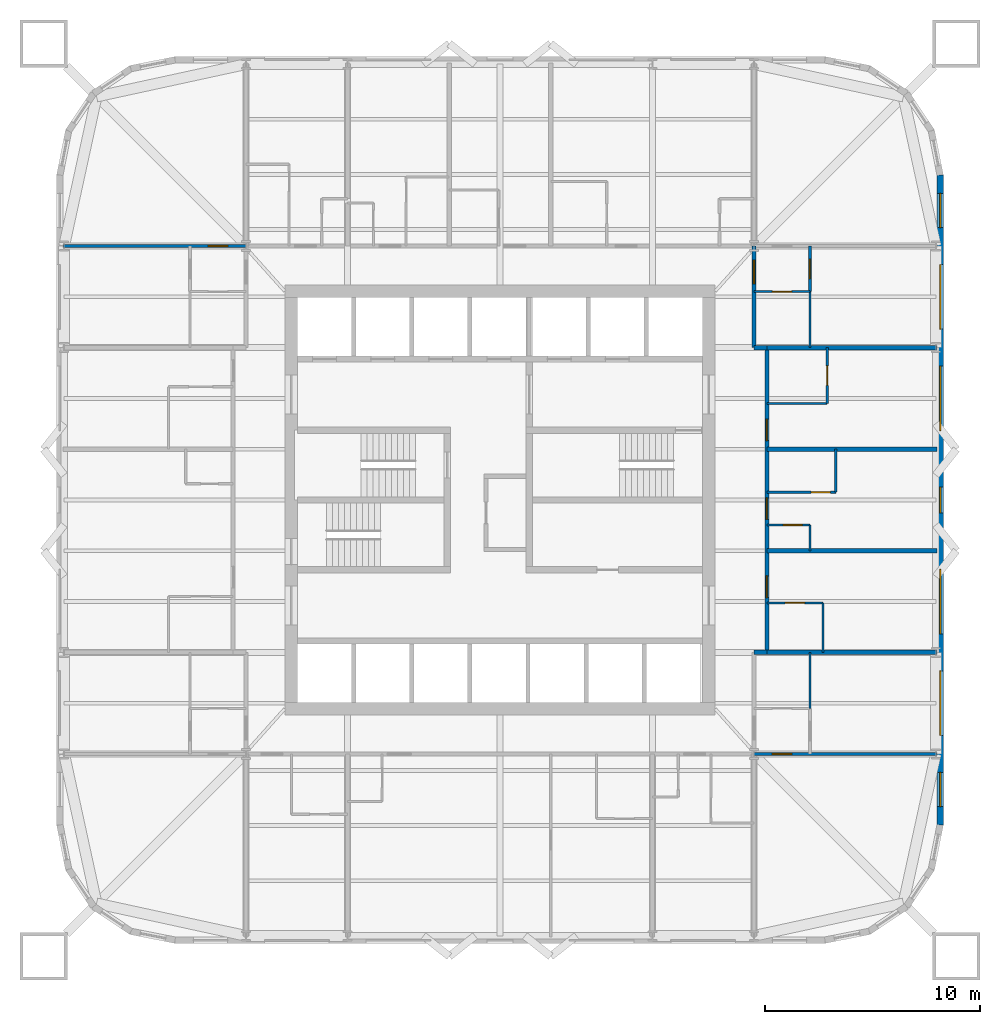
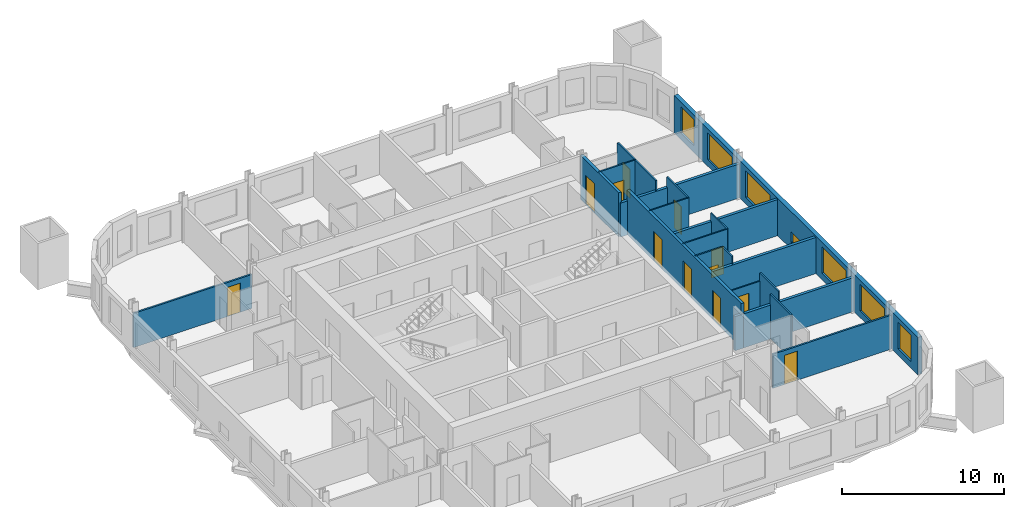
# One storey, part 6 of 9: 23 walls, 12 doors, 7 windows, 19 openings.
"""IFC4 building model written with IfcOpenShell, lengths in metres."""

from ifc_helpers import new_model, si_unit, direction, frame, frame_2d, origin, place, context, subcontext, project, spatial, rectangle, extrude, material, layer, layer_set, type_object, element, fill, save


model = new_model("IFC4")

# Units and contexts
model_context = context("Model", 3, precision=1e-05, world=origin(), true_north=direction((0.0, 1.0)))
body_context = subcontext(model_context, "Body", "Model", "MODEL_VIEW")
ifc_project = project(units=[si_unit("LENGTHUNIT", "METRE"), si_unit("AREAUNIT", "SQUARE_METRE"), si_unit("VOLUMEUNIT", "CUBIC_METRE"), si_unit("PLANEANGLEUNIT", "RADIAN"), si_unit("MASSUNIT", "GRAM", prefix="KILO")], contexts=[model_context])

# Site, building, storey
site_placement = place(None, origin())
site = spatial("IfcSite", under=ifc_project, at=site_placement, CompositionType="ELEMENT")
building_placement = place(site_placement, origin())
building = spatial("IfcBuilding", under=site, at=building_placement, Name="Turquesa Mirador Hotel Tower", CompositionType="ELEMENT")
storey_placement = place(building_placement, frame((0.0, 0.0, 121.39990234375)))
storey = spatial("IfcBuildingStorey", under=building, at=storey_placement, Name="L32", CompositionType="ELEMENT", Elevation=121.39990234375)

# Wall, opening, door
ifc_material_1 = material(Name="Gypsum board on steel studs", Category="steel")
ifc_layer_1 = layer(ifc_material_1, 0.10009765625)
ifc_layer_set_1 = layer_set([ifc_layer_1], Name="BATHROOM WALL 100")
wall_type_1 = type_object("IfcWallType", Name="BATHROOM WALL 100", PredefinedType="PARTITIONING", material=ifc_layer_set_1)
wall_1_placement = place(storey_placement, frame((67.39990234375, 43.840087890625, 0.0), z_axis=(0.0, 0.0, 1.0), x_axis=(1.0, 0.0, 0.0)))
wall_1 = element("IfcWall", 1, at=wall_1_placement, inside=storey, type_object=wall_type_1, Name="Partition L32 001", PredefinedType="PARTITIONING", context=body_context, shape_type="SweptSolid", body=[
    extrude(rectangle(XDim=2.0, YDim=0.10009765625, at=frame_2d((1.0, 0.0))), origin(), (0.0, 0.0, 1.0), 3.330078125),
])
opening_1_placement = place(wall_1_placement, frame((0.75, 0.0, 0.0)))
opening_1 = element("IfcOpeningElement", 2, at=opening_1_placement, cuts=wall_1, Name="Opening D06", PredefinedType="OPENING", context=body_context, shape_type="SweptSolid", body=[
    extrude(rectangle(XDim=0.89990234375, YDim=2.10009765625, at=frame_2d((0.449951171875, 1.050048828125))), frame((0.0, 0.06005859375, 0.0), z_axis=(0.0, -1.0, 0.0), x_axis=(1.0, 0.0, 0.0)), (0.0, 0.0, 1.0), 0.1201171875),
])
ifc_material_2 = material(Name="Laminate door", Category="wood")
door_type_1 = type_object("IfcDoorType", Name="DOOR 900X2100 WC", OperationType="SINGLE_SWING_LEFT", PredefinedType="DOOR", material=ifc_material_2)
door_1_placement = place(opening_1_placement, origin())
door_1 = element("IfcDoor", 3, at=door_1_placement, inside=storey, type_object=door_type_1, Name="Door 3209W", OperationType="SINGLE_SWING_LEFT", OverallHeight=2.10009765625, OverallWidth=0.89990234375, PredefinedType="DOOR", context=body_context, shape_type="SweptSolid", body=[
    extrude(rectangle(XDim=0.89990234375, YDim=2.10009765625, at=frame_2d((0.449951171875, 1.050048828125))), frame((0.0, 0.02490234375, 0.0), z_axis=(0.0, -1.0, 0.0), x_axis=(1.0, 0.0, 0.0)), (0.0, 0.0, 1.0), 0.050048828125),
])
fill(opening_1, door_1)

wall_2_placement = place(storey_placement, frame((67.39990234375, 40.219970703125, 0.0), z_axis=(0.0, 0.0, 1.0), x_axis=(1.0, 0.0, 0.0)))
wall_2 = element("IfcWall", 4, at=wall_2_placement, inside=storey, type_object=wall_type_1, Name="Partition L32 012", PredefinedType="PARTITIONING", context=body_context, shape_type="SweptSolid", body=[
    extrude(rectangle(XDim=2.60009765625, YDim=0.10009765625, at=frame_2d((1.300048828125, 0.0))), origin(), (0.0, 0.0, 1.0), 2.730712890625),
])
opening_2_placement = place(wall_2_placement, frame((0.85009765625, 0.0, 0.0)))
opening_2 = element("IfcOpeningElement", 5, at=opening_2_placement, cuts=wall_2, Name="Opening D02", PredefinedType="OPENING", context=body_context, shape_type="SweptSolid", body=[
    extrude(rectangle(XDim=0.89990234375, YDim=2.10009765625, at=frame_2d((0.449951171875, 1.050048828125))), frame((0.0, 0.06005859375, 0.0), z_axis=(0.0, -1.0, 0.0), x_axis=(1.0, 0.0, 0.0)), (0.0, 0.0, 1.0), 0.1201171875),
])
ifc_material_3 = material(Name="Timber veneered door", Category="wood")
door_type_2 = type_object("IfcDoorType", Name="DOOR 900X2100 EN-SUITE", OperationType="SINGLE_SWING_RIGHT", PredefinedType="DOOR", material=ifc_material_3)
door_2_placement = place(opening_2_placement, origin())
door_2 = element("IfcDoor", 6, at=door_2_placement, inside=storey, type_object=door_type_2, Name="Door 3208B", OperationType="SINGLE_SWING_RIGHT", OverallHeight=2.10009765625, OverallWidth=0.89990234375, PredefinedType="DOOR", context=body_context, shape_type="SweptSolid", body=[
    extrude(rectangle(XDim=0.89990234375, YDim=2.10009765625, at=frame_2d((0.449951171875, 1.050048828125))), frame((0.0, 0.02490234375, 0.0), z_axis=(0.0, -1.0, 0.0), x_axis=(1.0, 0.0, 0.0)), (0.0, 0.0, 1.0), 0.050048828125),
])
fill(opening_2, door_2)

wall_3_placement = place(storey_placement, frame((67.39990234375, 45.360107421875, 0.0), z_axis=(0.0, 0.0, 1.0), x_axis=(1.0, 0.0, 0.0)))
wall_3 = element("IfcWall", 7, at=wall_3_placement, inside=storey, type_object=wall_type_1, Name="Partition L32 019", PredefinedType="PARTITIONING", context=body_context, shape_type="SweptSolid", body=[
    extrude(rectangle(XDim=3.2001953125, YDim=0.10009765625, at=frame_2d((1.60009765625, 0.0))), origin(), (0.0, 0.0, 1.0), 3.330078125),
])
opening_3_placement = place(wall_3_placement, frame((2.050048828125, 0.0, 0.0)))
opening_3 = element("IfcOpeningElement", 8, at=opening_3_placement, cuts=wall_3, Name="Opening D02", PredefinedType="OPENING", context=body_context, shape_type="SweptSolid", body=[
    extrude(rectangle(XDim=0.89990234375, YDim=2.10009765625, at=frame_2d((0.449951171875, 1.050048828125))), frame((0.0, 0.06005859375, 0.0), z_axis=(0.0, -1.0, 0.0), x_axis=(1.0, 0.0, 0.0)), (0.0, 0.0, 1.0), 0.1201171875),
])
door_3_placement = place(opening_3_placement, origin())
door_3 = element("IfcDoor", 9, at=door_3_placement, inside=storey, type_object=door_type_2, Name="Door 3209B", OperationType="SINGLE_SWING_RIGHT", OverallHeight=2.10009765625, OverallWidth=0.89990234375, PredefinedType="DOOR", context=body_context, shape_type="SweptSolid", body=[
    extrude(rectangle(XDim=0.89990234375, YDim=2.10009765625, at=frame_2d((0.449951171875, 1.050048828125))), frame((0.0, 0.02490234375, 0.0), z_axis=(0.0, -1.0, 0.0), x_axis=(1.0, 0.0, 0.0)), (0.0, 0.0, 1.0), 0.050048828125),
])
fill(opening_3, door_3)

# Wall
wall_4_placement = place(storey_placement, frame((67.39990234375, 49.47998046875, 0.0), z_axis=(0.0, 0.0, 1.0), x_axis=(1.0, 0.0, 0.0)))
element("IfcWall", 10, at=wall_4_placement, inside=storey, type_object=wall_type_1, Name="Partition L32 033", PredefinedType="PARTITIONING", context=body_context, shape_type="SweptSolid", body=[
    extrude(rectangle(XDim=2.800048828125, YDim=0.10009765625, at=frame_2d((1.39990234375, 0.0))), origin(), (0.0, 0.0, 1.0), 3.330078125),
])

# Wall, opening, door
wall_5_placement = place(storey_placement, frame((66.800048828125, 54.679931640625, 0.0), z_axis=(0.0, 0.0, 1.0), x_axis=(1.0, 0.0, 0.0)))
wall_5 = element("IfcWall", 11, at=wall_5_placement, inside=storey, type_object=wall_type_1, Name="Partition L32 040", PredefinedType="PARTITIONING", context=body_context, shape_type="SweptSolid", body=[
    extrude(rectangle(XDim=2.599853515625, YDim=0.10009765625, at=frame_2d((1.2998046875, 0.0))), origin(), (0.0, 0.0, 1.0), 3.330078125),
])
opening_4_placement = place(wall_5_placement, frame((0.85009765625, 0.0, 0.0)))
opening_4 = element("IfcOpeningElement", 12, at=opening_4_placement, cuts=wall_5, Name="Opening D02", PredefinedType="OPENING", context=body_context, shape_type="SweptSolid", body=[
    extrude(rectangle(XDim=0.89990234375, YDim=2.10009765625, at=frame_2d((0.449951171875, 1.050048828125))), frame((0.0, 0.06005859375, 0.0), z_axis=(0.0, -1.0, 0.0), x_axis=(1.0, 0.0, 0.0)), (0.0, 0.0, 1.0), 0.1201171875),
])
door_4_placement = place(opening_4_placement, origin())
door_4 = element("IfcDoor", 13, at=door_4_placement, inside=storey, type_object=door_type_2, Name="Door 3213B", OperationType="SINGLE_SWING_RIGHT", OverallHeight=2.10009765625, OverallWidth=0.89990234375, PredefinedType="DOOR", context=body_context, shape_type="SweptSolid", body=[
    extrude(rectangle(XDim=0.89990234375, YDim=2.10009765625, at=frame_2d((0.449951171875, 1.050048828125))), frame((0.0, 0.02490234375, 0.0), z_axis=(0.0, -1.0, 0.0), x_axis=(1.0, 0.0, 0.0)), (0.0, 0.0, 1.0), 0.050048828125),
])
fill(opening_4, door_4)

# Walls
wall_6_placement = place(storey_placement, frame((69.39990234375, 35.320068359375, 0.0), z_axis=(0.0, 0.0, 1.0), x_axis=(0.0, 1.0, 0.0)))
element("IfcWall", 14, at=wall_6_placement, inside=storey, type_object=wall_type_1, Name="Partition L32 070", PredefinedType="PARTITIONING", context=body_context, shape_type="SweptSolid", body=[
    extrude(rectangle(XDim=2.599853515625, YDim=0.10009765625, at=frame_2d((1.2998046875, 0.0))), origin(), (0.0, 0.0, 1.0), 3.330078125),
])
wall_7_placement = place(storey_placement, frame((69.39990234375, 42.639892578125, 0.0), z_axis=(0.0, 0.0, 1.0), x_axis=(0.0, 1.0, 0.0)))
element("IfcWall", 15, at=wall_7_placement, inside=storey, type_object=wall_type_1, Name="Partition L32 071", PredefinedType="PARTITIONING", context=body_context, shape_type="SweptSolid", body=[
    extrude(rectangle(XDim=1.2001953125, YDim=0.10009765625, at=frame_2d((0.60009765625, 0.0))), origin(), (0.0, 0.0, 1.0), 3.330078125),
])
wall_8_placement = place(storey_placement, frame((69.39990234375, 52.080078125, 0.0), z_axis=(0.0, 0.0, 1.0), x_axis=(0.0, 1.0, 0.0)))
element("IfcWall", 16, at=wall_8_placement, inside=storey, type_object=wall_type_1, Name="Partition L32 072", PredefinedType="PARTITIONING", context=body_context, shape_type="SweptSolid", body=[
    extrude(rectangle(XDim=2.599853515625, YDim=0.10009765625, at=frame_2d((1.2998046875, 0.0))), origin(), (0.0, 0.0, 1.0), 3.330078125),
])
wall_9_placement = place(storey_placement, frame((70.0, 37.919921875, 0.0), z_axis=(0.0, 0.0, 1.0), x_axis=(0.0, 1.0, 0.0)))
element("IfcWall", 17, at=wall_9_placement, inside=storey, type_object=wall_type_1, Name="Partition L32 075", PredefinedType="PARTITIONING", context=body_context, shape_type="SweptSolid", body=[
    extrude(rectangle(XDim=2.300048828125, YDim=0.10009765625, at=frame_2d((1.14990234375, 0.0))), origin(), (0.0, 0.0, 1.0), 3.330078125),
])

# Wall, opening, door
wall_10_placement = place(storey_placement, frame((70.199951171875, 49.47998046875, 0.0), z_axis=(0.0, 0.0, 1.0), x_axis=(0.0, 1.0, 0.0)))
wall_10 = element("IfcWall", 18, at=wall_10_placement, inside=storey, type_object=wall_type_1, Name="Partition L32 076", PredefinedType="PARTITIONING", context=body_context, shape_type="SweptSolid", body=[
    extrude(rectangle(XDim=2.60009765625, YDim=0.10009765625, at=frame_2d((1.300048828125, 0.0))), origin(), (0.0, 0.0, 1.0), 3.330078125),
])
opening_5_placement = place(wall_10_placement, frame((0.85009765625, 0.0, 0.0)))
opening_5 = element("IfcOpeningElement", 19, at=opening_5_placement, cuts=wall_10, Name="Opening D02", PredefinedType="OPENING", context=body_context, shape_type="SweptSolid", body=[
    extrude(rectangle(XDim=0.89990234375, YDim=2.10009765625, at=frame_2d((0.449951171875, 1.050048828125))), frame((0.0, 0.06005859375, 0.0), z_axis=(0.0, -1.0, 0.0), x_axis=(1.0, 0.0, 0.0)), (0.0, 0.0, 1.0), 0.1201171875),
])
door_5_placement = place(opening_5_placement, origin())
door_5 = element("IfcDoor", 20, at=door_5_placement, inside=storey, type_object=door_type_2, Name="Door 3210B", OperationType="SINGLE_SWING_RIGHT", OverallHeight=2.10009765625, OverallWidth=0.89990234375, PredefinedType="DOOR", context=body_context, shape_type="SweptSolid", body=[
    extrude(rectangle(XDim=0.89990234375, YDim=2.10009765625, at=frame_2d((0.449951171875, 1.050048828125))), frame((0.0, 0.02490234375, 0.0), z_axis=(0.0, -1.0, 0.0), x_axis=(1.0, 0.0, 0.0)), (0.0, 0.0, 1.0), 0.050048828125),
])
fill(opening_5, door_5)

# Walls
wall_11_placement = place(storey_placement, frame((70.60009765625, 45.360107421875, 0.0), z_axis=(0.0, 0.0, 1.0), x_axis=(0.0, 1.0, 0.0)))
element("IfcWall", 21, at=wall_11_placement, inside=storey, type_object=wall_type_1, Name="Partition L32 077", PredefinedType="PARTITIONING", context=body_context, shape_type="SweptSolid", body=[
    extrude(rectangle(XDim=2.0, YDim=0.10009765625, at=frame_2d((1.0, 0.0))), origin(), (0.0, 0.0, 1.0), 3.330078125),
])
ifc_material_4 = material(Name="Fire-rated gypsum board on steel studs", Category="steel")
ifc_layer_2 = layer(ifc_material_4, 0.199951171875)
ifc_layer_set_2 = layer_set([ifc_layer_2], Name="CORRIDOR WALL 200")
wall_type_2 = type_object("IfcWallType", Name="CORRIDOR WALL 200", PredefinedType="PARTITIONING", material=ifc_layer_set_2)
for number, where, z_axis, x_axis, name in (
    (22, (66.800048828125, 37.919921875, 0.0), (0.0, 0.0, 1.0), (1.0, 0.0, 0.0), "Partition L32 014"),
    (23, (66.800048828125, 52.080078125, 0.0), (0.0, 0.0, 1.0), (1.0, 0.0, 0.0), "Partition L32 036"),
):
    element("IfcWall", number, at=place(storey_placement, frame(where, z_axis=z_axis, x_axis=x_axis)), inside=storey, type_object=wall_type_2, Name=name, PredefinedType="PARTITIONING", context=body_context, shape_type="SweptSolid", body=[
        extrude(rectangle(XDim=0.599853515625, YDim=0.199951171875, at=frame_2d((0.2998046875, 0.0))), origin(), (0.0, 0.0, 1.0), 2.5732421875),
    ])

# Wall, opening, door
wall_12_placement = place(storey_placement, frame((66.800048828125, 52.080078125, 0.0), z_axis=(0.0, 0.0, 1.0), x_axis=(0.0, 1.0, 0.0)))
wall_12 = element("IfcWall", 24, at=wall_12_placement, inside=storey, type_object=wall_type_2, Name="Partition L32 066", PredefinedType="PARTITIONING", context=body_context, shape_type="SweptSolid", body=[
    extrude(rectangle(XDim=4.719970703125, YDim=0.199951171875, at=frame_2d((2.35986328125, 0.0))), origin(), (0.0, 0.0, 1.0), 3.330078125),
])
opening_6_placement = place(wall_12_placement, frame((2.9599609375, 0.0, 0.0)))
opening_6 = element("IfcOpeningElement", 25, at=opening_6_placement, cuts=wall_12, Name="Opening D15", PredefinedType="OPENING", context=body_context, shape_type="SweptSolid", body=[
    extrude(rectangle(XDim=1.10009765625, YDim=2.199951171875, at=frame_2d((0.550048828125, 1.10009765625))), frame((0.0, 0.10986328125, 0.0), z_axis=(0.0, -1.0, 0.0), x_axis=(1.0, 0.0, 0.0)), (0.0, 0.0, 1.0), 0.219970703125),
])
ifc_material_5 = material(Name="Timber veneered fire door", Category="wood")
door_type_3 = type_object("IfcDoorType", Name="DOOR 1100X2200 SUITE ENTRY", OperationType="SINGLE_SWING_LEFT", PredefinedType="DOOR", material=ifc_material_5)
door_6_placement = place(opening_6_placement, origin())
door_6 = element("IfcDoor", 26, at=door_6_placement, inside=storey, type_object=door_type_3, Name="Door 3213H", OperationType="SINGLE_SWING_LEFT", OverallHeight=2.199951171875, OverallWidth=1.10009765625, PredefinedType="DOOR", context=body_context, shape_type="SweptSolid", body=[
    extrude(rectangle(XDim=1.10009765625, YDim=2.199951171875, at=frame_2d((0.550048828125, 1.10009765625))), frame((0.0, 0.02490234375, 0.0), z_axis=(0.0, -1.0, 0.0), x_axis=(1.0, 0.0, 0.0)), (0.0, 0.0, 1.0), 0.050048828125),
])
fill(opening_6, door_6)

# Wall, openings, doors
wall_13_placement = place(storey_placement, frame((67.39990234375, 37.919921875, 0.0), z_axis=(0.0, 0.0, 1.0), x_axis=(0.0, 1.0, 0.0)))
wall_13 = element("IfcWall", 27, at=wall_13_placement, inside=storey, type_object=wall_type_2, Name="Partition L32 069", PredefinedType="PARTITIONING", context=body_context, shape_type="SweptSolid", body=[
    extrude(rectangle(XDim=14.16015625, YDim=0.199951171875, at=frame_2d((7.080078125, 0.0))), origin(), (0.0, 0.0, 1.0), 3.330078125),
])
opening_7_placement = place(wall_13_placement, frame((2.550048828125, 0.0, 0.0)))
opening_7 = element("IfcOpeningElement", 28, at=opening_7_placement, cuts=wall_13, Name="Opening D01", PredefinedType="OPENING", context=body_context, shape_type="SweptSolid", body=[
    extrude(rectangle(XDim=1.0, YDim=2.199951171875, at=frame_2d((0.5, 1.10009765625))), frame((0.0, 0.10986328125, 0.0), z_axis=(0.0, -1.0, 0.0), x_axis=(1.0, 0.0, 0.0)), (0.0, 0.0, 1.0), 0.219970703125),
])
opening_8_placement = place(wall_13_placement, frame((6.179931640625, 0.0, 0.0)))
opening_8 = element("IfcOpeningElement", 29, at=opening_8_placement, cuts=wall_13, Name="Opening D01", PredefinedType="OPENING", context=body_context, shape_type="SweptSolid", body=[
    extrude(rectangle(XDim=1.0, YDim=2.199951171875, at=frame_2d((0.5, 1.10009765625))), frame((0.0, 0.10986328125, 0.0), z_axis=(0.0, -1.0, 0.0), x_axis=(1.0, 0.0, 0.0)), (0.0, 0.0, 1.0), 0.219970703125),
])
opening_9_placement = place(wall_13_placement, frame((9.840087890625, 0.0, 0.0)))
opening_9 = element("IfcOpeningElement", 30, at=opening_9_placement, cuts=wall_13, Name="Opening D01", PredefinedType="OPENING", context=body_context, shape_type="SweptSolid", body=[
    extrude(rectangle(XDim=1.0, YDim=2.199951171875, at=frame_2d((0.5, 1.10009765625))), frame((0.0, 0.10986328125, 0.0), z_axis=(0.0, -1.0, 0.0), x_axis=(1.0, 0.0, 0.0)), (0.0, 0.0, 1.0), 0.219970703125),
])
ifc_material_6 = material(Name="Timber veneered fire door", Category="wood")
door_type_4 = type_object("IfcDoorType", Name="DOOR 1000X2200 GUEST ENTRY", OperationType="SINGLE_SWING_LEFT", PredefinedType="DOOR", material=ifc_material_6)
door_7_placement = place(opening_7_placement, origin())
door_7 = element("IfcDoor", 31, at=door_7_placement, inside=storey, type_object=door_type_4, Name="Door 3208", OperationType="SINGLE_SWING_LEFT", OverallHeight=2.199951171875, OverallWidth=1.0, PredefinedType="DOOR", context=body_context, shape_type="SweptSolid", body=[
    extrude(rectangle(XDim=1.0, YDim=2.199951171875, at=frame_2d((0.5, 1.10009765625))), frame((0.0, 0.02490234375, 0.0), z_axis=(0.0, -1.0, 0.0), x_axis=(1.0, 0.0, 0.0)), (0.0, 0.0, 1.0), 0.050048828125),
])
fill(opening_7, door_7)
door_8_placement = place(opening_8_placement, origin())
door_8 = element("IfcDoor", 32, at=door_8_placement, inside=storey, type_object=door_type_4, Name="Door 3209", OperationType="SINGLE_SWING_LEFT", OverallHeight=2.199951171875, OverallWidth=1.0, PredefinedType="DOOR", context=body_context, shape_type="SweptSolid", body=[
    extrude(rectangle(XDim=1.0, YDim=2.199951171875, at=frame_2d((0.5, 1.10009765625))), frame((0.0, 0.02490234375, 0.0), z_axis=(0.0, -1.0, 0.0), x_axis=(1.0, 0.0, 0.0)), (0.0, 0.0, 1.0), 0.050048828125),
])
fill(opening_8, door_8)
door_9_placement = place(opening_9_placement, origin())
door_9 = element("IfcDoor", 33, at=door_9_placement, inside=storey, type_object=door_type_4, Name="Door 3210", OperationType="SINGLE_SWING_LEFT", OverallHeight=2.199951171875, OverallWidth=1.0, PredefinedType="DOOR", context=body_context, shape_type="SweptSolid", body=[
    extrude(rectangle(XDim=1.0, YDim=2.199951171875, at=frame_2d((0.5, 1.10009765625))), frame((0.0, 0.02490234375, 0.0), z_axis=(0.0, -1.0, 0.0), x_axis=(1.0, 0.0, 0.0)), (0.0, 0.0, 1.0), 0.050048828125),
])
fill(opening_9, door_9)

# Wall, openings, windows
ifc_material_7 = material(Name="Limestone cladding on concrete block", Category="masonry")
ifc_layer_3 = layer(ifc_material_7, 0.300048828125)
ifc_layer_set_3 = layer_set([ifc_layer_3], Name="FACADE WALL 300 STONE SCREEN")
wall_type_3 = type_object("IfcWallType", Name="FACADE WALL 300 STONE SCREEN", PredefinedType="SOLIDWALL", material=ifc_layer_set_3)
wall_14_placement = place(storey_placement, frame((75.449951171875, 29.89990234375, 0.0), z_axis=(0.0, 0.0, 1.0), x_axis=(0.0, 1.0, 0.0)))
wall_14 = element("IfcWall", 34, at=wall_14_placement, inside=storey, type_object=wall_type_3, Name="Facade wall L32 04", PredefinedType="SOLIDWALL", context=body_context, shape_type="SweptSolid", body=[
    extrude(rectangle(XDim=30.2001953125, YDim=0.300048828125, at=frame_2d((15.10009765625, 0.0))), origin(), (0.0, 0.0, 1.0), 2.830078125),
])
opening_10_placement = place(wall_14_placement, frame((0.85009765625, 0.0, 0.5)))
opening_10 = element("IfcOpeningElement", 35, at=opening_10_placement, cuts=wall_14, Name="Opening WN3", PredefinedType="OPENING", context=body_context, shape_type="SweptSolid", body=[
    extrude(rectangle(XDim=1.60009765625, YDim=2.0, at=frame_2d((0.800048828125, 1.0))), frame((0.0, 0.159912109375, 0.0), z_axis=(0.0, -1.0, 0.0), x_axis=(1.0, 0.0, 0.0)), (0.0, 0.0, 1.0), 0.320068359375),
])
opening_11_placement = place(wall_14_placement, frame((4.159912109375, 0.0, 0.5)))
opening_11 = element("IfcOpeningElement", 36, at=opening_11_placement, cuts=wall_14, Name="Opening WN1", PredefinedType="OPENING", context=body_context, shape_type="SweptSolid", body=[
    extrude(rectangle(XDim=3.0, YDim=2.0, at=frame_2d((1.5, 1.0))), frame((0.0, 0.159912109375, 0.0), z_axis=(0.0, -1.0, 0.0), x_axis=(1.0, 0.0, 0.0)), (0.0, 0.0, 1.0), 0.320068359375),
])
opening_12_placement = place(wall_14_placement, frame((8.8798828125, 0.0, 0.5)))
opening_12 = element("IfcOpeningElement", 37, at=opening_12_placement, cuts=wall_14, Name="Opening WN1", PredefinedType="OPENING", context=body_context, shape_type="SweptSolid", body=[
    extrude(rectangle(XDim=3.0, YDim=2.0, at=frame_2d((1.5, 1.0))), frame((0.0, 0.159912109375, 0.0), z_axis=(0.0, -1.0, 0.0), x_axis=(1.0, 0.0, 0.0)), (0.0, 0.0, 1.0), 0.320068359375),
])
opening_13_placement = place(wall_14_placement, frame((14.5, 0.0, 0.5)))
opening_13 = element("IfcOpeningElement", 38, at=opening_13_placement, cuts=wall_14, Name="Opening WN39", PredefinedType="OPENING", context=body_context, shape_type="SweptSolid", body=[
    extrude(rectangle(XDim=1.199951171875, YDim=0.800048828125, at=frame_2d((0.60009765625, 0.39990234375))), frame((0.0, 0.159912109375, 0.0), z_axis=(0.0, -1.0, 0.0), x_axis=(1.0, 0.0, 0.0)), (0.0, 0.0, 1.0), 0.320068359375),
])
opening_14_placement = place(wall_14_placement, frame((18.320068359375, 0.0, 0.5)))
opening_14 = element("IfcOpeningElement", 39, at=opening_14_placement, cuts=wall_14, Name="Opening WN1", PredefinedType="OPENING", context=body_context, shape_type="SweptSolid", body=[
    extrude(rectangle(XDim=3.0, YDim=2.0, at=frame_2d((1.5, 1.0))), frame((0.0, 0.159912109375, 0.0), z_axis=(0.0, -1.0, 0.0), x_axis=(1.0, 0.0, 0.0)), (0.0, 0.0, 1.0), 0.320068359375),
])
opening_15_placement = place(wall_14_placement, frame((23.0400390625, 0.0, 0.5)))
opening_15 = element("IfcOpeningElement", 40, at=opening_15_placement, cuts=wall_14, Name="Opening WN1", PredefinedType="OPENING", context=body_context, shape_type="SweptSolid", body=[
    extrude(rectangle(XDim=3.0, YDim=2.0, at=frame_2d((1.5, 1.0))), frame((0.0, 0.159912109375, 0.0), z_axis=(0.0, -1.0, 0.0), x_axis=(1.0, 0.0, 0.0)), (0.0, 0.0, 1.0), 0.320068359375),
])
opening_16_placement = place(wall_14_placement, frame((27.75, 0.0, 0.5)))
opening_16 = element("IfcOpeningElement", 41, at=opening_16_placement, cuts=wall_14, Name="Opening WN3", PredefinedType="OPENING", context=body_context, shape_type="SweptSolid", body=[
    extrude(rectangle(XDim=1.60009765625, YDim=2.0, at=frame_2d((0.800048828125, 1.0))), frame((0.0, 0.159912109375, 0.0), z_axis=(0.0, -1.0, 0.0), x_axis=(1.0, 0.0, 0.0)), (0.0, 0.0, 1.0), 0.320068359375),
])
ifc_material_8 = material(Name="Ceramic-fritted laminated glass", Category="glass")
window_type_1 = type_object("IfcWindowType", Name="FRITTED WINDOW 1200X800", PartitioningType="DOUBLE_PANEL_HORIZONTAL", PredefinedType="WINDOW", material=ifc_material_8)
window_1_placement = place(opening_13_placement, origin())
window_1 = element("IfcWindow", 42, at=window_1_placement, inside=storey, type_object=window_type_1, Name="Window L32", OverallHeight=0.800048828125, OverallWidth=1.199951171875, PartitioningType="SINGLE_PANEL", PredefinedType="WINDOW", context=body_context, shape_type="SweptSolid", body=[
    extrude(rectangle(XDim=1.199951171875, YDim=0.800048828125, at=frame_2d((0.60009765625, 0.39990234375))), frame((0.0, 0.030029296875, 0.0), z_axis=(0.0, -1.0, 0.0), x_axis=(1.0, 0.0, 0.0)), (0.0, 0.0, 1.0), 0.06005859375),
])
fill(opening_13, window_1)
ifc_material_9 = material(Name="Ceramic-fritted laminated glass", Category="glass")
window_type_2 = type_object("IfcWindowType", Name="FRITTED WINDOW 1600X2000", PartitioningType="DOUBLE_PANEL_HORIZONTAL", PredefinedType="WINDOW", material=ifc_material_9)
window_2_placement = place(opening_10_placement, origin())
window_2 = element("IfcWindow", 43, at=window_2_placement, inside=storey, type_object=window_type_2, Name="Window L32", OverallHeight=2.0, OverallWidth=1.60009765625, PartitioningType="SINGLE_PANEL", PredefinedType="WINDOW", context=body_context, shape_type="SweptSolid", body=[
    extrude(rectangle(XDim=1.60009765625, YDim=2.0, at=frame_2d((0.800048828125, 1.0))), frame((0.0, 0.030029296875, 0.0), z_axis=(0.0, -1.0, 0.0), x_axis=(1.0, 0.0, 0.0)), (0.0, 0.0, 1.0), 0.06005859375),
])
fill(opening_10, window_2)
window_3_placement = place(opening_16_placement, origin())
window_3 = element("IfcWindow", 44, at=window_3_placement, inside=storey, type_object=window_type_2, Name="Window L32", OverallHeight=2.0, OverallWidth=1.60009765625, PartitioningType="SINGLE_PANEL", PredefinedType="WINDOW", context=body_context, shape_type="SweptSolid", body=[
    extrude(rectangle(XDim=1.60009765625, YDim=2.0, at=frame_2d((0.800048828125, 1.0))), frame((0.0, 0.030029296875, 0.0), z_axis=(0.0, -1.0, 0.0), x_axis=(1.0, 0.0, 0.0)), (0.0, 0.0, 1.0), 0.06005859375),
])
fill(opening_16, window_3)
ifc_material_10 = material(Name="Ceramic-fritted laminated glass", Category="glass")
window_type_3 = type_object("IfcWindowType", Name="FRITTED WINDOW 3000X2000", PartitioningType="DOUBLE_PANEL_HORIZONTAL", PredefinedType="WINDOW", material=ifc_material_10)
window_4_placement = place(opening_11_placement, origin())
window_4 = element("IfcWindow", 45, at=window_4_placement, inside=storey, type_object=window_type_3, Name="Window L32", OverallHeight=2.0, OverallWidth=3.0, PartitioningType="SINGLE_PANEL", PredefinedType="WINDOW", context=body_context, shape_type="SweptSolid", body=[
    extrude(rectangle(XDim=3.0, YDim=2.0, at=frame_2d((1.5, 1.0))), frame((0.0, 0.030029296875, 0.0), z_axis=(0.0, -1.0, 0.0), x_axis=(1.0, 0.0, 0.0)), (0.0, 0.0, 1.0), 0.06005859375),
])
fill(opening_11, window_4)
window_5_placement = place(opening_12_placement, origin())
window_5 = element("IfcWindow", 46, at=window_5_placement, inside=storey, type_object=window_type_3, Name="Window L32", OverallHeight=2.0, OverallWidth=3.0, PartitioningType="SINGLE_PANEL", PredefinedType="WINDOW", context=body_context, shape_type="SweptSolid", body=[
    extrude(rectangle(XDim=3.0, YDim=2.0, at=frame_2d((1.5, 1.0))), frame((0.0, 0.030029296875, 0.0), z_axis=(0.0, -1.0, 0.0), x_axis=(1.0, 0.0, 0.0)), (0.0, 0.0, 1.0), 0.06005859375),
])
fill(opening_12, window_5)
window_6_placement = place(opening_14_placement, origin())
window_6 = element("IfcWindow", 47, at=window_6_placement, inside=storey, type_object=window_type_3, Name="Window L32", OverallHeight=2.0, OverallWidth=3.0, PartitioningType="SINGLE_PANEL", PredefinedType="WINDOW", context=body_context, shape_type="SweptSolid", body=[
    extrude(rectangle(XDim=3.0, YDim=2.0, at=frame_2d((1.5, 1.0))), frame((0.0, 0.030029296875, 0.0), z_axis=(0.0, -1.0, 0.0), x_axis=(1.0, 0.0, 0.0)), (0.0, 0.0, 1.0), 0.06005859375),
])
fill(opening_14, window_6)
window_7_placement = place(opening_15_placement, origin())
window_7 = element("IfcWindow", 48, at=window_7_placement, inside=storey, type_object=window_type_3, Name="Window L32", OverallHeight=2.0, OverallWidth=3.0, PartitioningType="SINGLE_PANEL", PredefinedType="WINDOW", context=body_context, shape_type="SweptSolid", body=[
    extrude(rectangle(XDim=3.0, YDim=2.0, at=frame_2d((1.5, 1.0))), frame((0.0, 0.030029296875, 0.0), z_axis=(0.0, -1.0, 0.0), x_axis=(1.0, 0.0, 0.0)), (0.0, 0.0, 1.0), 0.06005859375),
])
fill(opening_15, window_7)

# Walls
ifc_material_11 = material(Name="Fire-rated gypsum board on steel studs", Category="steel")
ifc_layer_4 = layer(ifc_material_11, 0.199951171875)
ifc_layer_set_4 = layer_set([ifc_layer_4], Name="PARTY WALL 200")
wall_type_4 = type_object("IfcWallType", Name="PARTY WALL 200", PredefinedType="PARTITIONING", material=ifc_layer_set_4)
wall_15_placement = place(storey_placement, frame((67.39990234375, 42.639892578125, 0.0), z_axis=(0.0, 0.0, 1.0), x_axis=(1.0, 0.0, 0.0)))
element("IfcWall", 49, at=wall_15_placement, inside=storey, type_object=wall_type_4, Name="Partition L32 010", PredefinedType="PARTITIONING", context=body_context, shape_type="SweptSolid", body=[
    extrude(rectangle(XDim=7.900146484375, YDim=0.199951171875, at=frame_2d((3.9501953125, 0.0))), origin(), (0.0, 0.0, 1.0), 2.730712890625),
])
wall_16_placement = place(storey_placement, frame((67.39990234375, 37.919921875, 0.0), z_axis=(0.0, 0.0, 1.0), x_axis=(1.0, 0.0, 0.0)))
element("IfcWall", 50, at=wall_16_placement, inside=storey, type_object=wall_type_4, Name="Partition L32 016", PredefinedType="PARTITIONING", context=body_context, shape_type="SweptSolid", body=[
    extrude(rectangle(XDim=7.900146484375, YDim=0.199951171875, at=frame_2d((3.9501953125, 0.0))), origin(), (0.0, 0.0, 1.0), 2.5732421875),
])
wall_17_placement = place(storey_placement, frame((67.39990234375, 47.360107421875, 0.0), z_axis=(0.0, 0.0, 1.0), x_axis=(1.0, 0.0, 0.0)))
element("IfcWall", 51, at=wall_17_placement, inside=storey, type_object=wall_type_4, Name="Partition L32 032", PredefinedType="PARTITIONING", context=body_context, shape_type="SweptSolid", body=[
    extrude(rectangle(XDim=7.900146484375, YDim=0.199951171875, at=frame_2d((3.9501953125, 0.0))), origin(), (0.0, 0.0, 1.0), 2.730712890625),
])
wall_18_placement = place(storey_placement, frame((67.39990234375, 52.080078125, 0.0), z_axis=(0.0, 0.0, 1.0), x_axis=(1.0, 0.0, 0.0)))
element("IfcWall", 52, at=wall_18_placement, inside=storey, type_object=wall_type_4, Name="Partition L32 038", PredefinedType="PARTITIONING", context=body_context, shape_type="SweptSolid", body=[
    extrude(rectangle(XDim=7.900146484375, YDim=0.199951171875, at=frame_2d((3.9501953125, 0.0))), origin(), (0.0, 0.0, 1.0), 2.5732421875),
])

# Wall, opening, door
ifc_material_12 = material(Name="Acoustic gypsum board on steel studs", Category="steel")
ifc_layer_5 = layer(ifc_material_12, 0.125)
ifc_layer_set_5 = layer_set([ifc_layer_5], Name="SUITE PARTITION 125")
wall_type_5 = type_object("IfcWallType", Name="SUITE PARTITION 125", PredefinedType="PARTITIONING", material=ifc_layer_set_5)
wall_19_placement = place(storey_placement, frame((66.800048828125, 33.199951171875, 0.0), z_axis=(0.0, 0.0, 1.0), x_axis=(1.0, 0.0, 0.0)))
wall_19 = element("IfcWall", 53, at=wall_19_placement, inside=storey, type_object=wall_type_5, Name="Partition L32 004", PredefinedType="PARTITIONING", context=body_context, shape_type="SweptSolid", body=[
    extrude(rectangle(XDim=8.5, YDim=0.125, at=frame_2d((4.25, 0.0))), origin(), (0.0, 0.0, 1.0), 2.5732421875),
])
opening_17_placement = place(wall_19_placement, frame((0.85009765625, 0.0, 0.0)))
opening_17 = element("IfcOpeningElement", 54, at=opening_17_placement, cuts=wall_19, Name="Opening D17", PredefinedType="OPENING", context=body_context, shape_type="SweptSolid", body=[
    extrude(rectangle(XDim=0.89990234375, YDim=2.199951171875, at=frame_2d((0.449951171875, 1.10009765625))), frame((0.0, 0.072509765625, 0.0), z_axis=(0.0, -1.0, 0.0), x_axis=(1.0, 0.0, 0.0)), (0.0, 0.0, 1.0), 0.14501953125),
])
ifc_material_13 = material(Name="Timber veneered door", Category="wood")
door_type_5 = type_object("IfcDoorType", Name="DOOR 900X2200 SUITE INTERNAL", OperationType="SINGLE_SWING_LEFT", PredefinedType="DOOR", material=ifc_material_13)
door_10_placement = place(opening_17_placement, origin())
door_10 = element("IfcDoor", 55, at=door_10_placement, inside=storey, type_object=door_type_5, Name="Door 3216", OperationType="SINGLE_SWING_LEFT", OverallHeight=2.199951171875, OverallWidth=0.89990234375, PredefinedType="DOOR", context=body_context, shape_type="SweptSolid", body=[
    extrude(rectangle(XDim=0.89990234375, YDim=2.199951171875, at=frame_2d((0.449951171875, 1.10009765625))), frame((0.0, 0.02490234375, 0.0), z_axis=(0.0, -1.0, 0.0), x_axis=(1.0, 0.0, 0.0)), (0.0, 0.0, 1.0), 0.050048828125),
])
fill(opening_17, door_10)

wall_20_placement = place(storey_placement, frame((34.699951171875, 56.800048828125, 0.0), z_axis=(0.0, 0.0, 1.0), x_axis=(1.0, 0.0, 0.0)))
wall_20 = element("IfcWall", 56, at=wall_20_placement, inside=storey, type_object=wall_type_5, Name="Partition L32 022", PredefinedType="PARTITIONING", context=body_context, shape_type="SweptSolid", body=[
    extrude(rectangle(XDim=8.5, YDim=0.125, at=frame_2d((4.25, 0.0))), origin(), (0.0, 0.0, 1.0), 2.5732421875),
])
opening_18_placement = place(wall_20_placement, frame((6.75, 0.0, 0.0)))
opening_18 = element("IfcOpeningElement", 57, at=opening_18_placement, cuts=wall_20, Name="Opening D17", PredefinedType="OPENING", context=body_context, shape_type="SweptSolid", body=[
    extrude(rectangle(XDim=0.89990234375, YDim=2.199951171875, at=frame_2d((0.449951171875, 1.10009765625))), frame((0.0, 0.072509765625, 0.0), z_axis=(0.0, -1.0, 0.0), x_axis=(1.0, 0.0, 0.0)), (0.0, 0.0, 1.0), 0.14501953125),
])
door_11_placement = place(opening_18_placement, origin())
door_11 = element("IfcDoor", 58, at=door_11_placement, inside=storey, type_object=door_type_5, Name="Door 3214", OperationType="SINGLE_SWING_LEFT", OverallHeight=2.199951171875, OverallWidth=0.89990234375, PredefinedType="DOOR", context=body_context, shape_type="SweptSolid", body=[
    extrude(rectangle(XDim=0.89990234375, YDim=2.199951171875, at=frame_2d((0.449951171875, 1.10009765625))), frame((0.0, 0.02490234375, 0.0), z_axis=(0.0, -1.0, 0.0), x_axis=(1.0, 0.0, 0.0)), (0.0, 0.0, 1.0), 0.050048828125),
])
fill(opening_18, door_11)

wall_21_placement = place(storey_placement, frame((69.39990234375, 54.679931640625, 0.0), z_axis=(0.0, 0.0, 1.0), x_axis=(0.0, 1.0, 0.0)))
wall_21 = element("IfcWall", 59, at=wall_21_placement, inside=storey, type_object=wall_type_5, Name="Partition L32 074", PredefinedType="PARTITIONING", context=body_context, shape_type="SweptSolid", body=[
    extrude(rectangle(XDim=2.1201171875, YDim=0.125, at=frame_2d((1.06005859375, 0.0))), origin(), (0.0, 0.0, 1.0), 3.330078125),
])
opening_19_placement = place(wall_21_placement, frame((0.610107421875, 0.0, 0.0)))
opening_19 = element("IfcOpeningElement", 60, at=opening_19_placement, cuts=wall_21, Name="Opening D17", PredefinedType="OPENING", context=body_context, shape_type="SweptSolid", body=[
    extrude(rectangle(XDim=0.89990234375, YDim=2.199951171875, at=frame_2d((0.449951171875, 1.10009765625))), frame((0.0, 0.072509765625, 0.0), z_axis=(0.0, -1.0, 0.0), x_axis=(1.0, 0.0, 0.0)), (0.0, 0.0, 1.0), 0.14501953125),
])
door_12_placement = place(opening_19_placement, origin())
door_12 = element("IfcDoor", 61, at=door_12_placement, inside=storey, type_object=door_type_5, Name="Door 3213R", OperationType="SINGLE_SWING_LEFT", OverallHeight=2.199951171875, OverallWidth=0.89990234375, PredefinedType="DOOR", context=body_context, shape_type="SweptSolid", body=[
    extrude(rectangle(XDim=0.89990234375, YDim=2.199951171875, at=frame_2d((0.449951171875, 1.10009765625))), frame((0.0, 0.02490234375, 0.0), z_axis=(0.0, -1.0, 0.0), x_axis=(1.0, 0.0, 0.0)), (0.0, 0.0, 1.0), 0.050048828125),
])
fill(opening_19, door_12)

save(model, "model.ifc")
